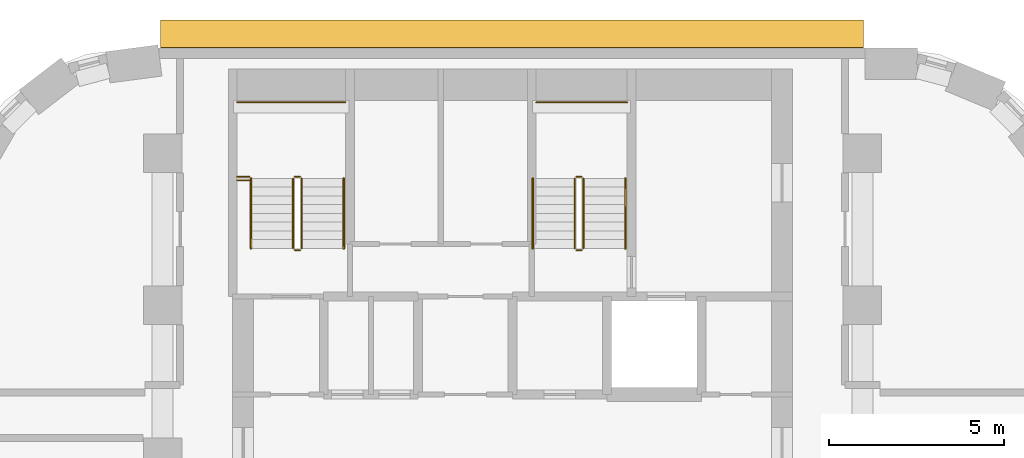
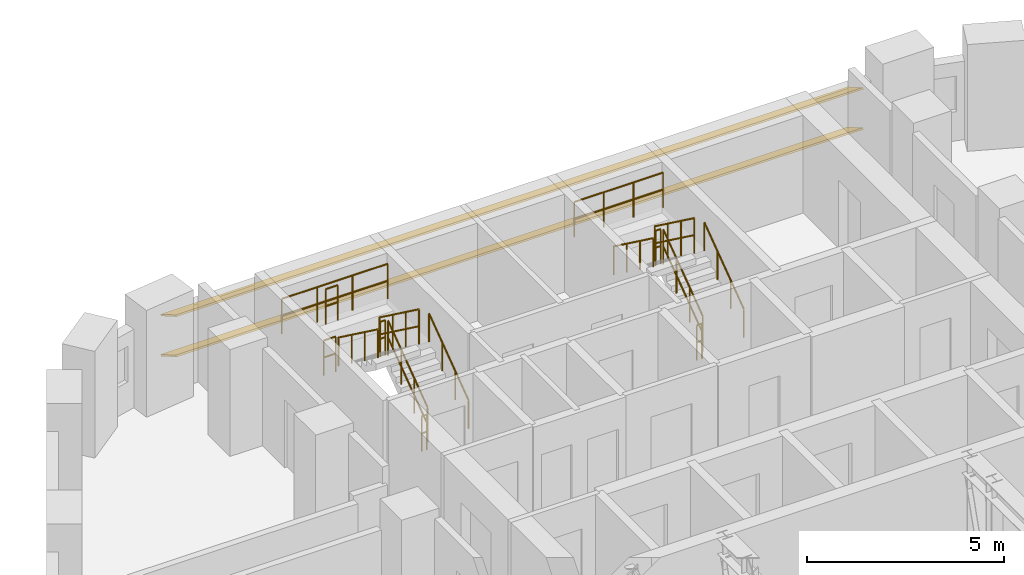
# One storey, part 18 of 18: 16 railings, 2 shading devices.
"""IFC4 building model written with IfcOpenShell, lengths in metres."""

import ifcopenshell
import ifcopenshell.guid

model = None  # the IFC model being written
_history = None  # IfcOwnerHistory: only IFC2X3 demands one
_inside = {}  # id of a spatial element -> (the spatial element, [elements in it])
_under = {}  # id of a project, library or spatial element -> (it, [spatial elements below it])
_declared = {}  # id of a project -> (the project, [libraries it declares])
_typed = {}  # id of a type object -> (the type object, [elements of that type])
_made_of = {}  # id of a material, layer set ... -> (it, [elements and type objects made of it])


def new_model(schema):
    """Start an empty IFC model of exactly this schema.

    Asked for "IFC4X3", IfcOpenShell would pick the latest addendum, in which some entities
    have other attributes; the version numbers below select the first issue.
    IFC2X3 requires an IfcOwnerHistory on every rooted entity: one is made here for all.
    """
    global model, _history
    if schema == "IFC4X3":
        model = ifcopenshell.file(schema_version=(4, 3, 0, 0))
    else:
        model = ifcopenshell.file(schema=schema)
    _inside.clear()
    _under.clear()
    _declared.clear()
    _typed.clear()
    _made_of.clear()
    _history = None
    if model.schema == "IFC2X3":
        org = make("IfcOrganization", Name="unknown")
        user = make(
            "IfcPersonAndOrganization",
            ThePerson=make("IfcPerson", FamilyName="unknown"),
            TheOrganization=org,
        )
        app = make(
            "IfcApplication",
            ApplicationDeveloper=org,
            Version="unknown",
            ApplicationFullName="unknown",
            ApplicationIdentifier="unknown",
        )
        _history = make(
            "IfcOwnerHistory",
            OwningUser=user,
            OwningApplication=app,
            ChangeAction="ADDED",
            CreationDate=0,
        )
    return model


def make(cls, **values):
    """One entity of the class cls with the attributes given. An attribute that is None is left unset."""
    return model.create_entity(
        cls, **{name: value for name, value in values.items() if value is not None}
    )


def rooted(cls, **values):
    """An entity with a GlobalId (a new one), such as an element, a storey or a relation."""
    return make(cls, GlobalId=ifcopenshell.guid.new(), OwnerHistory=_history, **values)


def si_unit(unit_type, name, prefix=None):
    """IfcSIUnit, for example si_unit("LENGTHUNIT", "METRE", prefix="MILLI")."""
    return make("IfcSIUnit", UnitType=unit_type, Prefix=prefix, Name=name)


def assignment(units):
    """IfcUnitAssignment: the units of a project."""
    return None if units is None else make("IfcUnitAssignment", Units=units)


def point(xyz):
    """IfcCartesianPoint."""
    return None if xyz is None else make("IfcCartesianPoint", Coordinates=xyz)


def direction(xyz):
    """IfcDirection."""
    return None if xyz is None else make("IfcDirection", DirectionRatios=xyz)


def frame(location, z_axis=None, x_axis=None):
    """IfcAxis2Placement3D, a coordinate frame: its origin and axes. An axis left out is left unset."""
    return make(
        "IfcAxis2Placement3D",
        Location=point(location),
        Axis=direction(z_axis),
        RefDirection=direction(x_axis),
    )


def frame_2d(location, x_axis=None):
    """IfcAxis2Placement2D, a coordinate frame in the plane: its origin and x axis."""
    return make(
        "IfcAxis2Placement2D", Location=point(location), RefDirection=direction(x_axis)
    )


def origin():
    """The frame at (0, 0, 0) with its axes left unset."""
    return frame((0.0, 0.0, 0.0))


def origin_2d():
    """The frame at (0, 0) in the plane with its x axis left unset."""
    return frame_2d((0.0, 0.0))


def place(relative_to, where):
    """IfcLocalPlacement: puts the frame where relative to a parent placement (None: the world)."""
    return make(
        "IfcLocalPlacement", PlacementRelTo=relative_to, RelativePlacement=where
    )


def context(
    kind, dimensions, precision=None, world=None, true_north=None, identifier=None
):
    """IfcGeometricRepresentationContext, for example the 3D "Model" context."""
    return make(
        "IfcGeometricRepresentationContext",
        ContextIdentifier=identifier,
        ContextType=kind,
        CoordinateSpaceDimension=dimensions,
        Precision=precision,
        WorldCoordinateSystem=world,
        TrueNorth=true_north,
    )


def subcontext(parent, identifier, kind, view, scale=None):
    """IfcGeometricRepresentationSubContext, for example "Body" below "Model"."""
    return make(
        "IfcGeometricRepresentationSubContext",
        ContextIdentifier=identifier,
        ContextType=kind,
        ParentContext=parent,
        TargetScale=scale,
        TargetView=view,
    )


def project(units=None, contexts=None):
    """IfcProject with its units and contexts."""
    return rooted(
        "IfcProject",
        Name="project",
        RepresentationContexts=contexts,
        UnitsInContext=assignment(units),
    )


def spatial(cls, under=None, at=None, **own):
    """A site, building, storey or space (cls), placed at a placement, below another one or the project."""
    s = rooted(cls, ObjectPlacement=at, **own)
    if under is not None:
        _under.setdefault(under.id(), (under, []))[1].append(s)
    return s


def profile(cls, at=None, kind="AREA", **sizes):
    """A parametric profile (cls). Its sizes go by their IFC names, for example OverallWidth=200.0."""
    return make(cls, ProfileType=kind, Position=at, **sizes)


def rectangle(**sizes):
    """IfcRectangleProfileDef."""
    return profile("IfcRectangleProfileDef", **sizes)


def circle(**sizes):
    """IfcCircleProfileDef."""
    return profile("IfcCircleProfileDef", **sizes)


def extrude(swept, where, along, depth):
    """IfcExtrudedAreaSolid: the profile swept, set in the frame where, extruded along a direction by depth."""
    return make(
        "IfcExtrudedAreaSolid",
        SweptArea=swept,
        Position=where,
        ExtrudedDirection=direction(along),
        Depth=depth,
    )


def shape(context_of_items, identifier, shape_type, items):
    """IfcShapeRepresentation: the items that make up one representation, for example the "Body"."""
    return make(
        "IfcShapeRepresentation",
        ContextOfItems=context_of_items,
        RepresentationIdentifier=identifier,
        RepresentationType=shape_type,
        Items=items,
    )


def material(Name=None, Category=None):
    """IfcMaterial."""
    return make("IfcMaterial", Name=Name, Category=Category)


def material_profile(
    of_material, cross_section, Name=None, Category=None, Priority=None
):
    """IfcMaterialProfile: a cross section and its material."""
    return make(
        "IfcMaterialProfile",
        Name=Name,
        Material=of_material,
        Profile=cross_section,
        Priority=Priority,
        Category=Category,
    )


def profile_set(profiles, Name=None, composite=None):
    """IfcMaterialProfileSet."""
    return make(
        "IfcMaterialProfileSet",
        Name=Name,
        MaterialProfiles=profiles,
        CompositeProfile=composite,
    )


def made_of(thing, what):
    """Note that an element or type object is made of a material, layer set ...; save() writes the relation."""
    if what is not None:
        _made_of.setdefault(what.id(), (what, []))[1].append(thing)
    return thing


def type_object(cls, material=None, **own):
    """A type object (cls), such as IfcWallType, which elements share."""
    return made_of(rooted(cls, **own), material)


def element(
    cls,
    number,
    at=None,
    inside=None,
    cuts=None,
    type_object=None,
    material=None,
    context=None,
    identifier="Body",
    shape_type=None,
    held_by="IfcProductDefinitionShape",
    body=None,
    shapes=None,
    **own,
):
    """One element of the class cls, such as IfcWall. Its Tag is "e" and its number.

    at: its placement. inside: the storey or other place that contains it. cuts: it is an
    opening in that element (IfcRelVoidsElement). A single representation is given by context,
    identifier, shape_type and body (its items); several are given by shapes. held_by: the class
    of the entity that holds the representations. save() writes the other relations.
    """
    e = rooted(cls, Tag="e%d" % number, ObjectPlacement=at, **own)
    if body is not None:
        shapes = [shape(context, identifier, shape_type, body)]
    if shapes is not None:
        e.Representation = make(held_by, Representations=shapes)
    if inside is not None:
        _inside.setdefault(inside.id(), (inside, []))[1].append(e)
    if cuts is not None:
        rooted(
            "IfcRelVoidsElement", RelatingBuildingElement=cuts, RelatedOpeningElement=e
        )
    if type_object is not None:
        _typed.setdefault(type_object.id(), (type_object, []))[1].append(e)
    return made_of(e, material)


def aggregate(whole, parts):
    """IfcRelAggregates: a whole, such as a stair, and the parts it consists of."""
    return rooted("IfcRelAggregates", RelatingObject=whole, RelatedObjects=parts)


def save(model, path):
    """Write the relations noted so far, then the file.

    IfcRelAggregates (storeys below a building ...), IfcRelContainedInSpatialStructure (elements
    in a storey), IfcRelDefinesByType, IfcRelAssociatesMaterial and IfcRelDeclares: one each for
    every whole, place, type object, material and project.
    """
    for whole, parts in _under.values():
        aggregate(whole, parts)
    for where, things in _inside.values():
        rooted(
            "IfcRelContainedInSpatialStructure",
            RelatedElements=things,
            RelatingStructure=where,
        )
    for kind, things in _typed.values():
        rooted("IfcRelDefinesByType", RelatedObjects=things, RelatingType=kind)
    for what, things in _made_of.values():
        rooted("IfcRelAssociatesMaterial", RelatedObjects=things, RelatingMaterial=what)
    for by, libraries in _declared.values():
        rooted("IfcRelDeclares", RelatingContext=by, RelatedDefinitions=libraries)
    model.write(path)


model = new_model("IFC4")

# Units and contexts
model_context = context("Model", 3, precision=1e-05, world=origin(), true_north=direction((0.0, 1.0)))
body_context = subcontext(model_context, "Body", "Model", "MODEL_VIEW")
ifc_project = project(units=[si_unit("LENGTHUNIT", "METRE"), si_unit("AREAUNIT", "SQUARE_METRE"), si_unit("VOLUMEUNIT", "CUBIC_METRE"), si_unit("PLANEANGLEUNIT", "RADIAN"), si_unit("MASSUNIT", "GRAM", prefix="KILO")], contexts=[model_context])

# Site, building, storey
site_placement = place(None, origin())
site = spatial("IfcSite", under=ifc_project, at=site_placement, CompositionType="ELEMENT")
building_placement = place(site_placement, origin())
building = spatial("IfcBuilding", under=site, at=building_placement, Name="Nakaniwa Court", CompositionType="ELEMENT")
storey_placement = place(building_placement, frame((0.0, 0.0, 38.10009765625)))
storey = spatial("IfcBuildingStorey", under=building, at=storey_placement, Name="L09", CompositionType="ELEMENT", Elevation=38.10009765625)

# Shading devices
ifc_material_1 = material(Name="Perforated charcoal ceramic louvre blade")
ifc_material_profile = material_profile(ifc_material_1, rectangle(XDim=0.89990234375, YDim=0.050048828125, at=origin_2d()), Name="Perforated ceramic louvre blade")
ifc_profile_set = profile_set([ifc_material_profile], Name="Perforated charcoal ceramic louvre blade")
shading_device_type = type_object("IfcShadingDeviceType", Name="Perforated ceramic louvre blade", PredefinedType="JALOUSIE", material=ifc_profile_set)
for number, where, z_axis, x_axis, name in (
    (1, (90.02880859375, 104.402099609375, 0.5498046875), (-1.0, 0.0, 0.0), (0.0, -0.866025403784, 0.5), "L09 perforated ceramic louvre blade w04 1"),
    (2, (90.02880859375, 104.402099609375, 1.793212890625), (-1.0, 0.0, 0.0), (0.0, -0.866025403784, 0.5), "L09 perforated ceramic louvre blade w04 2"),
):
    element("IfcShadingDevice", number, at=place(storey_placement, frame(where, z_axis=z_axis, x_axis=x_axis)), inside=storey, type_object=shading_device_type, Name=name, PredefinedType="JALOUSIE", context=body_context, shape_type="SweptSolid", body=[
        extrude(rectangle(XDim=0.89990234375, YDim=0.050048828125, at=origin_2d()), origin(), (0.0, 0.0, 1.0), 20.090576171875),
    ])

# Railings
ifc_material_2 = material(Name="Black powder coated steel guard", Category="steel")
railing_type_1 = type_object("IfcRailingType", Name="Stair guard 1100", PredefinedType="GUARDRAIL", material=ifc_material_2)
railing_1_placement = place(storey_placement, frame((73.97509765625, 98.27490234375, 0.183349609375)))
element("IfcRailing", 3, at=railing_1_placement, inside=storey, type_object=railing_type_1, Name="L09 ST1 stair guard 1", PredefinedType="GUARDRAIL", context=body_context, shape_type="SweptSolid", body=[
    extrude(circle(Radius=0.02392578125, at=origin_2d()), frame((0.0, 0.0, 1.076171875), z_axis=(0.0, 0.806426902644, 0.591333789573), x_axis=(-1.0, 0.0, 0.0)), (0.0, 0.0, 1.0), 2.47998046875),
    extrude(circle(Radius=0.02392578125, at=origin_2d()), frame((0.0, 0.0, 0.550048828125), z_axis=(0.0, 0.806426902644, 0.591333789573), x_axis=(-1.0, 0.0, 0.0)), (0.0, 0.0, 1.0), 2.47998046875),
    extrude(circle(Radius=0.02099609375, at=origin_2d()), origin(), (0.0, 0.0, 1.0), 1.052001953125),
    extrude(circle(Radius=0.02099609375, at=origin_2d()), frame((0.0, 0.666748046875, 0.48876953125)), (0.0, 0.0, 1.0), 1.052001953125),
    extrude(circle(Radius=0.02099609375, at=origin_2d()), frame((0.0, 1.333251953125, 0.977783203125)), (0.0, 0.0, 1.0), 1.052001953125),
    extrude(circle(Radius=0.02099609375, at=origin_2d()), frame((0.0, 2.0, 1.466552734375)), (0.0, 0.0, 1.0), 1.052001953125),
])
railing_2_placement = place(storey_placement, frame((73.925048828125, 100.324951171875, 1.64990234375)))
element("IfcRailing", 4, at=railing_2_placement, inside=storey, type_object=railing_type_1, Name="L09 ST1 stair guard 2", PredefinedType="GUARDRAIL", context=body_context, shape_type="SweptSolid", body=[
    extrude(circle(Radius=0.02392578125, at=origin_2d()), frame((0.0, 0.0, 1.076171875), z_axis=(-1.0, 0.0, 0.0), x_axis=(0.0, -1.0, 0.0)), (0.0, 0.0, 1.0), 0.150146484375),
    extrude(circle(Radius=0.02392578125, at=origin_2d()), frame((0.0, 0.0, 0.550048828125), z_axis=(-1.0, 0.0, 0.0), x_axis=(0.0, -1.0, 0.0)), (0.0, 0.0, 1.0), 0.150146484375),
    extrude(circle(Radius=0.02099609375, at=origin_2d()), origin(), (0.0, 0.0, 1.0), 1.052001953125),
    extrude(circle(Radius=0.02099609375, at=origin_2d()), frame((-0.150146484375, 0.0, 0.0)), (0.0, 0.0, 1.0), 1.052001953125),
])
railing_3_placement = place(storey_placement, frame((73.72509765625, 100.27490234375, 1.833251953125)))
element("IfcRailing", 5, at=railing_3_placement, inside=storey, type_object=railing_type_1, Name="L09 ST1 stair guard 3", PredefinedType="GUARDRAIL", context=body_context, shape_type="SweptSolid", body=[
    extrude(circle(Radius=0.02392578125, at=origin_2d()), frame((0.0, 0.0, 1.076171875), z_axis=(0.0, -0.806426902644, 0.591333789573), x_axis=(1.0, 0.0, 0.0)), (0.0, 0.0, 1.0), 2.47998046875),
    extrude(circle(Radius=0.02392578125, at=origin_2d()), frame((0.0, 0.0, 0.550048828125), z_axis=(0.0, -0.806426902644, 0.591333789573), x_axis=(1.0, 0.0, 0.0)), (0.0, 0.0, 1.0), 2.47998046875),
    extrude(circle(Radius=0.02099609375, at=origin_2d()), origin(), (0.0, 0.0, 1.0), 1.052001953125),
    extrude(circle(Radius=0.02099609375, at=origin_2d()), frame((0.0, -0.666748046875, 0.48876953125)), (0.0, 0.0, 1.0), 1.052001953125),
    extrude(circle(Radius=0.02099609375, at=origin_2d()), frame((0.0, -1.333251953125, 0.977783203125)), (0.0, 0.0, 1.0), 1.052001953125),
    extrude(circle(Radius=0.02099609375, at=origin_2d()), frame((0.0, -2.0, 1.466552734375)), (0.0, 0.0, 1.0), 1.052001953125),
])
railing_4_placement = place(storey_placement, frame((73.925048828125, 98.22509765625, 0.0)))
element("IfcRailing", 6, at=railing_4_placement, inside=storey, type_object=railing_type_1, Name="L09 ST1 stair guard 4", PredefinedType="GUARDRAIL", context=body_context, shape_type="SweptSolid", body=[
    extrude(circle(Radius=0.02392578125, at=origin_2d()), frame((0.0, 0.0, 1.076171875), z_axis=(-1.0, 0.0, 0.0), x_axis=(0.0, -1.0, 0.0)), (0.0, 0.0, 1.0), 0.150146484375),
    extrude(circle(Radius=0.02392578125, at=origin_2d()), frame((0.0, 0.0, 0.550048828125), z_axis=(-1.0, 0.0, 0.0), x_axis=(0.0, -1.0, 0.0)), (0.0, 0.0, 1.0), 0.150146484375),
    extrude(circle(Radius=0.02099609375, at=origin_2d()), origin(), (0.0, 0.0, 1.0), 1.052001953125),
    extrude(circle(Radius=0.02099609375, at=origin_2d()), frame((-0.150146484375, 0.0, 0.0)), (0.0, 0.0, 1.0), 1.052001953125),
])
railing_5_placement = place(storey_placement, frame((72.125, 102.449951171875, 1.64990234375)))
element("IfcRailing", 7, at=railing_5_placement, inside=storey, type_object=railing_type_1, Name="L09 ST1 landing end guard 1", PredefinedType="GUARDRAIL", context=body_context, shape_type="SweptSolid", body=[
    extrude(circle(Radius=0.02392578125, at=origin_2d()), frame((0.0, 0.0, 1.076171875), z_axis=(1.0, 0.0, 0.0), x_axis=(0.0, 1.0, 0.0)), (0.0, 0.0, 1.0), 3.10009765625),
    extrude(circle(Radius=0.02392578125, at=origin_2d()), frame((0.0, 0.0, 0.550048828125), z_axis=(1.0, 0.0, 0.0), x_axis=(0.0, 1.0, 0.0)), (0.0, 0.0, 1.0), 3.10009765625),
    extrude(circle(Radius=0.02099609375, at=origin_2d()), origin(), (0.0, 0.0, 1.0), 1.052001953125),
    extrude(circle(Radius=0.02099609375, at=origin_2d()), frame((1.033447265625, 0.0, 0.0)), (0.0, 0.0, 1.0), 1.052001953125),
    extrude(circle(Radius=0.02099609375, at=origin_2d()), frame((2.066650390625, 0.0, 0.0)), (0.0, 0.0, 1.0), 1.052001953125),
    extrude(circle(Radius=0.02099609375, at=origin_2d()), frame((3.10009765625, 0.0, 0.0)), (0.0, 0.0, 1.0), 1.052001953125),
])
for number, where, name in (
    (8, (72.125, 100.324951171875, 1.64990234375), "L09 ST1 landing side guard 1W"),
    (9, (72.125, 100.22509765625, 3.2998046875), "L09 ST1 floor edge guard 1W"),
):
    element("IfcRailing", number, at=place(storey_placement, frame(where)), inside=storey, type_object=railing_type_1, Name=name, PredefinedType="GUARDRAIL", context=body_context, shape_type="SweptSolid", body=[
        extrude(circle(Radius=0.02392578125, at=origin_2d()), frame((0.0, 0.0, 1.076171875), z_axis=(1.0, 0.0, 0.0), x_axis=(0.0, 1.0, 0.0)), (0.0, 0.0, 1.0), 0.35009765625),
        extrude(circle(Radius=0.02392578125, at=origin_2d()), frame((0.0, 0.0, 0.550048828125), z_axis=(1.0, 0.0, 0.0), x_axis=(0.0, 1.0, 0.0)), (0.0, 0.0, 1.0), 0.35009765625),
        extrude(circle(Radius=0.02099609375, at=origin_2d()), origin(), (0.0, 0.0, 1.0), 1.052001953125),
        extrude(circle(Radius=0.02099609375, at=origin_2d()), frame((0.35009765625, 0.0, 0.0)), (0.0, 0.0, 1.0), 1.052001953125),
    ])
railing_6_placement = place(storey_placement, frame((82.02490234375, 98.27490234375, 0.183349609375)))
element("IfcRailing", 10, at=railing_6_placement, inside=storey, type_object=railing_type_1, Name="L09 ST2 stair guard 1", PredefinedType="GUARDRAIL", context=body_context, shape_type="SweptSolid", body=[
    extrude(circle(Radius=0.02392578125, at=origin_2d()), frame((0.0, 0.0, 1.076171875), z_axis=(0.0, 0.806426902644, 0.591333789573), x_axis=(-1.0, 0.0, 0.0)), (0.0, 0.0, 1.0), 2.47998046875),
    extrude(circle(Radius=0.02392578125, at=origin_2d()), frame((0.0, 0.0, 0.550048828125), z_axis=(0.0, 0.806426902644, 0.591333789573), x_axis=(-1.0, 0.0, 0.0)), (0.0, 0.0, 1.0), 2.47998046875),
    extrude(circle(Radius=0.02099609375, at=origin_2d()), origin(), (0.0, 0.0, 1.0), 1.052001953125),
    extrude(circle(Radius=0.02099609375, at=origin_2d()), frame((0.0, 0.666748046875, 0.48876953125)), (0.0, 0.0, 1.0), 1.052001953125),
    extrude(circle(Radius=0.02099609375, at=origin_2d()), frame((0.0, 1.333251953125, 0.977783203125)), (0.0, 0.0, 1.0), 1.052001953125),
    extrude(circle(Radius=0.02099609375, at=origin_2d()), frame((0.0, 2.0, 1.466552734375)), (0.0, 0.0, 1.0), 1.052001953125),
])
railing_7_placement = place(storey_placement, frame((81.97509765625, 100.324951171875, 1.64990234375)))
element("IfcRailing", 11, at=railing_7_placement, inside=storey, type_object=railing_type_1, Name="L09 ST2 stair guard 2", PredefinedType="GUARDRAIL", context=body_context, shape_type="SweptSolid", body=[
    extrude(circle(Radius=0.02392578125, at=origin_2d()), frame((0.0, 0.0, 1.076171875), z_axis=(-1.0, 0.0, 0.0), x_axis=(0.0, -1.0, 0.0)), (0.0, 0.0, 1.0), 0.150146484375),
    extrude(circle(Radius=0.02392578125, at=origin_2d()), frame((0.0, 0.0, 0.550048828125), z_axis=(-1.0, 0.0, 0.0), x_axis=(0.0, -1.0, 0.0)), (0.0, 0.0, 1.0), 0.150146484375),
    extrude(circle(Radius=0.02099609375, at=origin_2d()), origin(), (0.0, 0.0, 1.0), 1.052001953125),
    extrude(circle(Radius=0.02099609375, at=origin_2d()), frame((-0.150146484375, 0.0, 0.0)), (0.0, 0.0, 1.0), 1.052001953125),
])
railing_8_placement = place(storey_placement, frame((81.77490234375, 100.27490234375, 1.833251953125)))
element("IfcRailing", 12, at=railing_8_placement, inside=storey, type_object=railing_type_1, Name="L09 ST2 stair guard 3", PredefinedType="GUARDRAIL", context=body_context, shape_type="SweptSolid", body=[
    extrude(circle(Radius=0.02392578125, at=origin_2d()), frame((0.0, 0.0, 1.076171875), z_axis=(0.0, -0.806426902644, 0.591333789573), x_axis=(1.0, 0.0, 0.0)), (0.0, 0.0, 1.0), 2.47998046875),
    extrude(circle(Radius=0.02392578125, at=origin_2d()), frame((0.0, 0.0, 0.550048828125), z_axis=(0.0, -0.806426902644, 0.591333789573), x_axis=(1.0, 0.0, 0.0)), (0.0, 0.0, 1.0), 2.47998046875),
    extrude(circle(Radius=0.02099609375, at=origin_2d()), origin(), (0.0, 0.0, 1.0), 1.052001953125),
    extrude(circle(Radius=0.02099609375, at=origin_2d()), frame((0.0, -0.666748046875, 0.48876953125)), (0.0, 0.0, 1.0), 1.052001953125),
    extrude(circle(Radius=0.02099609375, at=origin_2d()), frame((0.0, -1.333251953125, 0.977783203125)), (0.0, 0.0, 1.0), 1.052001953125),
    extrude(circle(Radius=0.02099609375, at=origin_2d()), frame((0.0, -2.0, 1.466552734375)), (0.0, 0.0, 1.0), 1.052001953125),
])
railing_9_placement = place(storey_placement, frame((81.97509765625, 98.22509765625, 0.0)))
element("IfcRailing", 13, at=railing_9_placement, inside=storey, type_object=railing_type_1, Name="L09 ST2 stair guard 4", PredefinedType="GUARDRAIL", context=body_context, shape_type="SweptSolid", body=[
    extrude(circle(Radius=0.02392578125, at=origin_2d()), frame((0.0, 0.0, 1.076171875), z_axis=(-1.0, 0.0, 0.0), x_axis=(0.0, -1.0, 0.0)), (0.0, 0.0, 1.0), 0.150146484375),
    extrude(circle(Radius=0.02392578125, at=origin_2d()), frame((0.0, 0.0, 0.550048828125), z_axis=(-1.0, 0.0, 0.0), x_axis=(0.0, -1.0, 0.0)), (0.0, 0.0, 1.0), 0.150146484375),
    extrude(circle(Radius=0.02099609375, at=origin_2d()), origin(), (0.0, 0.0, 1.0), 1.052001953125),
    extrude(circle(Radius=0.02099609375, at=origin_2d()), frame((-0.150146484375, 0.0, 0.0)), (0.0, 0.0, 1.0), 1.052001953125),
])
railing_10_placement = place(storey_placement, frame((80.675048828125, 102.449951171875, 1.64990234375)))
element("IfcRailing", 14, at=railing_10_placement, inside=storey, type_object=railing_type_1, Name="L09 ST2 landing end guard 1", PredefinedType="GUARDRAIL", context=body_context, shape_type="SweptSolid", body=[
    extrude(circle(Radius=0.02392578125, at=origin_2d()), frame((0.0, 0.0, 1.076171875), z_axis=(1.0, 0.0, 0.0), x_axis=(0.0, 1.0, 0.0)), (0.0, 0.0, 1.0), 2.599853515625),
    extrude(circle(Radius=0.02392578125, at=origin_2d()), frame((0.0, 0.0, 0.550048828125), z_axis=(1.0, 0.0, 0.0), x_axis=(0.0, 1.0, 0.0)), (0.0, 0.0, 1.0), 2.599853515625),
    extrude(circle(Radius=0.02099609375, at=origin_2d()), origin(), (0.0, 0.0, 1.0), 1.052001953125),
    extrude(circle(Radius=0.02099609375, at=origin_2d()), frame((0.86669921875, 0.0, 0.0)), (0.0, 0.0, 1.0), 1.052001953125),
    extrude(circle(Radius=0.02099609375, at=origin_2d()), frame((1.733154296875, 0.0, 0.0)), (0.0, 0.0, 1.0), 1.052001953125),
    extrude(circle(Radius=0.02099609375, at=origin_2d()), frame((2.599853515625, 0.0, 0.0)), (0.0, 0.0, 1.0), 1.052001953125),
])
ifc_material_3 = material(Name="Black powder coated steel handrail", Category="steel")
railing_type_2 = type_object("IfcRailingType", Name="Stair handrail 900", PredefinedType="HANDRAIL", material=ifc_material_3)
railing_11_placement = place(storey_placement, frame((75.175048828125, 98.27490234375, 0.183349609375)))
element("IfcRailing", 15, at=railing_11_placement, inside=storey, type_object=railing_type_2, Name="L09 ST1 stair handrail 1", PredefinedType="HANDRAIL", context=body_context, shape_type="SweptSolid", body=[
    extrude(circle(Radius=0.02392578125, at=origin_2d()), frame((0.0, 0.0, 0.8759765625), z_axis=(0.0, 0.806426902644, 0.591333789573), x_axis=(-1.0, 0.0, 0.0)), (0.0, 0.0, 1.0), 2.47998046875),
    extrude(circle(Radius=0.02099609375, at=origin_2d()), origin(), (0.0, 0.0, 1.0), 0.851806640625),
    extrude(circle(Radius=0.02099609375, at=origin_2d()), frame((0.0, 0.666748046875, 0.48876953125)), (0.0, 0.0, 1.0), 0.851806640625),
    extrude(circle(Radius=0.02099609375, at=origin_2d()), frame((0.0, 1.333251953125, 0.977783203125)), (0.0, 0.0, 1.0), 0.851806640625),
    extrude(circle(Radius=0.02099609375, at=origin_2d()), frame((0.0, 2.0, 1.466552734375)), (0.0, 0.0, 1.0), 0.851806640625),
])
railing_12_placement = place(storey_placement, frame((72.52490234375, 100.27490234375, 1.833251953125)))
element("IfcRailing", 16, at=railing_12_placement, inside=storey, type_object=railing_type_2, Name="L09 ST1 stair handrail 2", PredefinedType="HANDRAIL", context=body_context, shape_type="SweptSolid", body=[
    extrude(circle(Radius=0.02392578125, at=origin_2d()), frame((0.0, 0.0, 0.8759765625), z_axis=(0.0, -0.806426902644, 0.591333789573), x_axis=(1.0, 0.0, 0.0)), (0.0, 0.0, 1.0), 2.47998046875),
    extrude(circle(Radius=0.02099609375, at=origin_2d()), origin(), (0.0, 0.0, 1.0), 0.851806640625),
    extrude(circle(Radius=0.02099609375, at=origin_2d()), frame((0.0, -0.666748046875, 0.48876953125)), (0.0, 0.0, 1.0), 0.851806640625),
    extrude(circle(Radius=0.02099609375, at=origin_2d()), frame((0.0, -1.333251953125, 0.977783203125)), (0.0, 0.0, 1.0), 0.851806640625),
    extrude(circle(Radius=0.02099609375, at=origin_2d()), frame((0.0, -2.0, 1.466552734375)), (0.0, 0.0, 1.0), 0.851806640625),
])
railing_13_placement = place(storey_placement, frame((83.22509765625, 98.27490234375, 0.183349609375)))
element("IfcRailing", 17, at=railing_13_placement, inside=storey, type_object=railing_type_2, Name="L09 ST2 stair handrail 1", PredefinedType="HANDRAIL", context=body_context, shape_type="SweptSolid", body=[
    extrude(circle(Radius=0.02392578125, at=origin_2d()), frame((0.0, 0.0, 0.8759765625), z_axis=(0.0, 0.806426902644, 0.591333789573), x_axis=(-1.0, 0.0, 0.0)), (0.0, 0.0, 1.0), 2.47998046875),
    extrude(circle(Radius=0.02099609375, at=origin_2d()), origin(), (0.0, 0.0, 1.0), 0.851806640625),
    extrude(circle(Radius=0.02099609375, at=origin_2d()), frame((0.0, 0.666748046875, 0.48876953125)), (0.0, 0.0, 1.0), 0.851806640625),
    extrude(circle(Radius=0.02099609375, at=origin_2d()), frame((0.0, 1.333251953125, 0.977783203125)), (0.0, 0.0, 1.0), 0.851806640625),
    extrude(circle(Radius=0.02099609375, at=origin_2d()), frame((0.0, 2.0, 1.466552734375)), (0.0, 0.0, 1.0), 0.851806640625),
])
railing_14_placement = place(storey_placement, frame((80.574951171875, 100.27490234375, 1.833251953125)))
element("IfcRailing", 18, at=railing_14_placement, inside=storey, type_object=railing_type_2, Name="L09 ST2 stair handrail 2", PredefinedType="HANDRAIL", context=body_context, shape_type="SweptSolid", body=[
    extrude(circle(Radius=0.02392578125, at=origin_2d()), frame((0.0, 0.0, 0.8759765625), z_axis=(0.0, -0.806426902644, 0.591333789573), x_axis=(1.0, 0.0, 0.0)), (0.0, 0.0, 1.0), 2.47998046875),
    extrude(circle(Radius=0.02099609375, at=origin_2d()), origin(), (0.0, 0.0, 1.0), 0.851806640625),
    extrude(circle(Radius=0.02099609375, at=origin_2d()), frame((0.0, -0.666748046875, 0.48876953125)), (0.0, 0.0, 1.0), 0.851806640625),
    extrude(circle(Radius=0.02099609375, at=origin_2d()), frame((0.0, -1.333251953125, 0.977783203125)), (0.0, 0.0, 1.0), 0.851806640625),
    extrude(circle(Radius=0.02099609375, at=origin_2d()), frame((0.0, -2.0, 1.466552734375)), (0.0, 0.0, 1.0), 0.851806640625),
])

save(model, "model.ifc")
